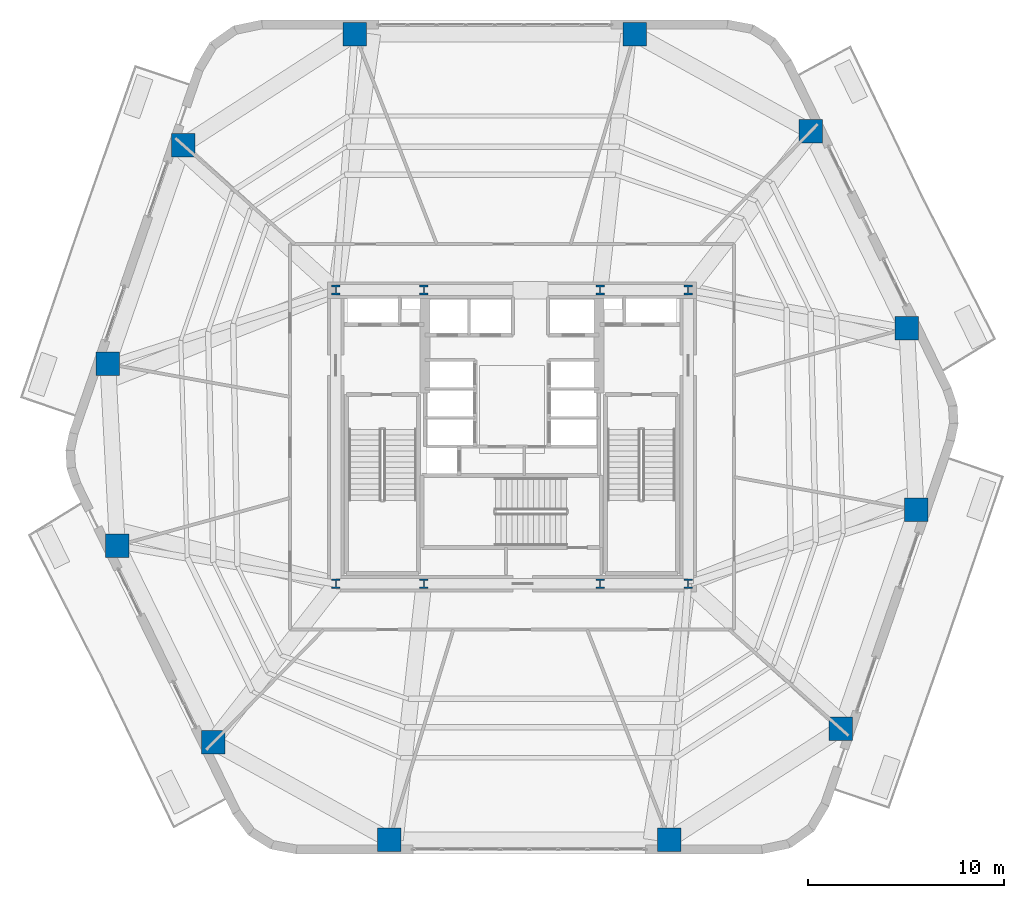
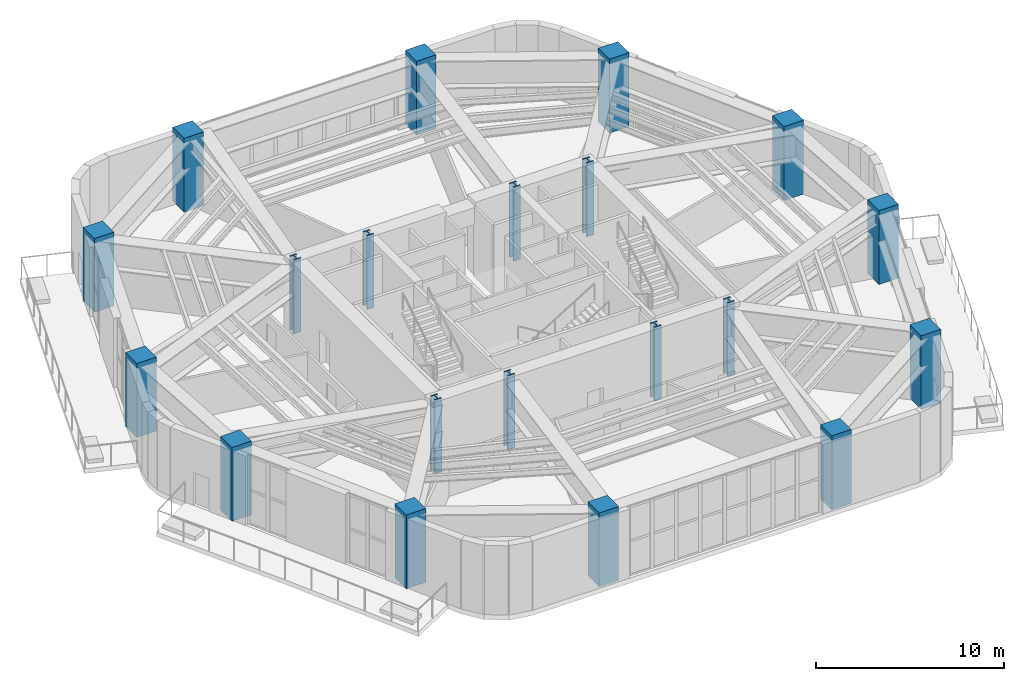
# One storey, part 1 of 22: 20 columns.
"""IFC4 building model written with IfcOpenShell, lengths in metres."""

from ifc_helpers import new_model, si_unit, direction, frame, origin, origin_2d, place, context, subcontext, project, spatial, rectangle, i_section, extrude, material, material_profile, profile_set, type_object, element, save


model = new_model("IFC4")

# Units and contexts
model_context = context("Model", 3, precision=1e-05, world=origin(), true_north=direction((0.0, 1.0)))
body_context = subcontext(model_context, "Body", "Model", "MODEL_VIEW")
ifc_project = project(units=[si_unit("LENGTHUNIT", "METRE"), si_unit("AREAUNIT", "SQUARE_METRE"), si_unit("VOLUMEUNIT", "CUBIC_METRE"), si_unit("PLANEANGLEUNIT", "RADIAN"), si_unit("MASSUNIT", "GRAM", prefix="KILO")], contexts=[model_context])

# Site, building, storey
site_placement = place(None, origin())
site = spatial("IfcSite", under=ifc_project, at=site_placement, CompositionType="ELEMENT")
building_placement = place(site_placement, origin())
building = spatial("IfcBuilding", under=site, at=building_placement, Name="Kilnhurst Terrace Hotel", CompositionType="ELEMENT")
storey_placement = place(building_placement, frame((0.0, 0.0, 139.5)))
storey = spatial("IfcBuildingStorey", under=building, at=storey_placement, Name="L34", CompositionType="ELEMENT", Elevation=139.5)

# Columns
ifc_material_1 = material(Name="Concrete C80/95", Category="concrete")
ifc_material_profile_1 = material_profile(ifc_material_1, rectangle(XDim=1.199951171875, YDim=1.199951171875, at=origin_2d()), Name="RC1200X1200")
ifc_profile_set_1 = profile_set([ifc_material_profile_1], Name="Concrete C80/95")
column_type_1 = type_object("IfcColumnType", Name="COL-RC-1200", PredefinedType="COLUMN", material=ifc_profile_set_1)
for number, where, z_axis, x_axis, name in (
    (1, (-6.26806640625, -20.580078125, 0.0), (0.0, 0.0, 1.0), (1.0, 0.0, 0.0), "L34 Structural Column PC-F11"),
    (2, (8.028076171875, -20.580078125, 0.0), (0.0, 0.0, 1.0), (1.0, 0.0, 0.0), "L34 Structural Column PC-F12"),
    (3, (16.800048828125, -14.910888671875, 0.0), (0.0, 0.0, 1.0), (1.0, 0.0, 0.0), "L34 Structural Column PC-F21"),
    (4, (20.64990234375, -3.73095703125, 0.0), (0.0, 0.0, 1.0), (1.0, 0.0, 0.0), "L34 Structural Column PC-F22"),
    (5, (20.1640625, 5.549072265625, 0.0), (0.0, 0.0, 1.0), (1.0, 0.0, 0.0), "L34 Structural Column PC-F31"),
    (6, (15.257080078125, 15.60888671875, 0.0), (0.0, 0.0, 1.0), (1.0, 0.0, 0.0), "L34 Structural Column PC-F32"),
    (7, (6.26806640625, 20.580078125, 0.0), (0.0, 0.0, 1.0), (1.0, 0.0, 0.0), "L34 Structural Column PC-F41"),
    (8, (-8.028076171875, 20.580078125, 0.0), (0.0, 0.0, 1.0), (1.0, 0.0, 0.0), "L34 Structural Column PC-F42"),
    (9, (-16.800048828125, 14.910888671875, 0.0), (0.0, 0.0, 1.0), (1.0, 0.0, 0.0), "L34 Structural Column PC-F51"),
    (10, (-20.64990234375, 3.73095703125, 0.0), (0.0, 0.0, 1.0), (1.0, 0.0, 0.0), "L34 Structural Column PC-F52"),
    (11, (-20.1640625, -5.549072265625, 0.0), (0.0, 0.0, 1.0), (1.0, 0.0, 0.0), "L34 Structural Column PC-F61"),
    (12, (-15.257080078125, -15.60888671875, 0.0), (0.0, 0.0, 1.0), (1.0, 0.0, 0.0), "L34 Structural Column PC-F62"),
):
    element("IfcColumn", number, at=place(storey_placement, frame(where, z_axis=z_axis, x_axis=x_axis)), inside=storey, type_object=column_type_1, Name=name, PredefinedType="COLUMN", context=body_context, shape_type="SweptSolid", body=[
        extrude(rectangle(XDim=1.199951171875, YDim=1.199951171875, at=origin_2d()), origin(), (0.0, 0.0, 1.0), 4.800048828125),
    ])
ifc_material_2 = material(Name="Steel ASTM A992 Grade 50", Category="steel")
ifc_material_profile_2 = material_profile(ifc_material_2, i_section(OverallWidth=0.43212890625, OverallDepth=0.497802734375, WebThickness=0.0556640625, FlangeThickness=0.0888671875, at=origin_2d()), Name="W14X500")
ifc_profile_set_2 = profile_set([ifc_material_profile_2], Name="Steel ASTM A992 Grade 50")
column_type_2 = type_object("IfcColumnType", Name="COL-STL-W14X500", PredefinedType="COLUMN", material=ifc_profile_set_2)
for number, where, z_axis, x_axis, name in (
    (13, (-9.0, -7.5, 0.0), (0.0, 0.0, 1.0), (1.0, 0.0, 0.0), "L34 Structural Column CC-SW"),
    (14, (-4.5, -7.5, 0.0), (0.0, 0.0, 1.0), (1.0, 0.0, 0.0), "L34 Structural Column CC-SC1"),
    (15, (4.5, -7.5, 0.0), (0.0, 0.0, 1.0), (1.0, 0.0, 0.0), "L34 Structural Column CC-SC2"),
    (16, (9.0, -7.5, 0.0), (0.0, 0.0, 1.0), (1.0, 0.0, 0.0), "L34 Structural Column CC-SE"),
    (17, (9.0, 7.5, 0.0), (0.0, 0.0, 1.0), (1.0, 0.0, 0.0), "L34 Structural Column CC-NE"),
    (18, (4.5, 7.5, 0.0), (0.0, 0.0, 1.0), (1.0, 0.0, 0.0), "L34 Structural Column CC-NC2"),
    (19, (-4.5, 7.5, 0.0), (0.0, 0.0, 1.0), (1.0, 0.0, 0.0), "L34 Structural Column CC-NC1"),
    (20, (-9.0, 7.5, 0.0), (0.0, 0.0, 1.0), (1.0, 0.0, 0.0), "L34 Structural Column CC-NW"),
):
    element("IfcColumn", number, at=place(storey_placement, frame(where, z_axis=z_axis, x_axis=x_axis)), inside=storey, type_object=column_type_2, Name=name, PredefinedType="COLUMN", context=body_context, shape_type="SweptSolid", body=[
        extrude(i_section(OverallWidth=0.43212890625, OverallDepth=0.497802734375, WebThickness=0.0556640625, FlangeThickness=0.0888671875, at=origin_2d()), origin(), (0.0, 0.0, 1.0), 4.800048828125),
    ])

save(model, "model.ifc")
